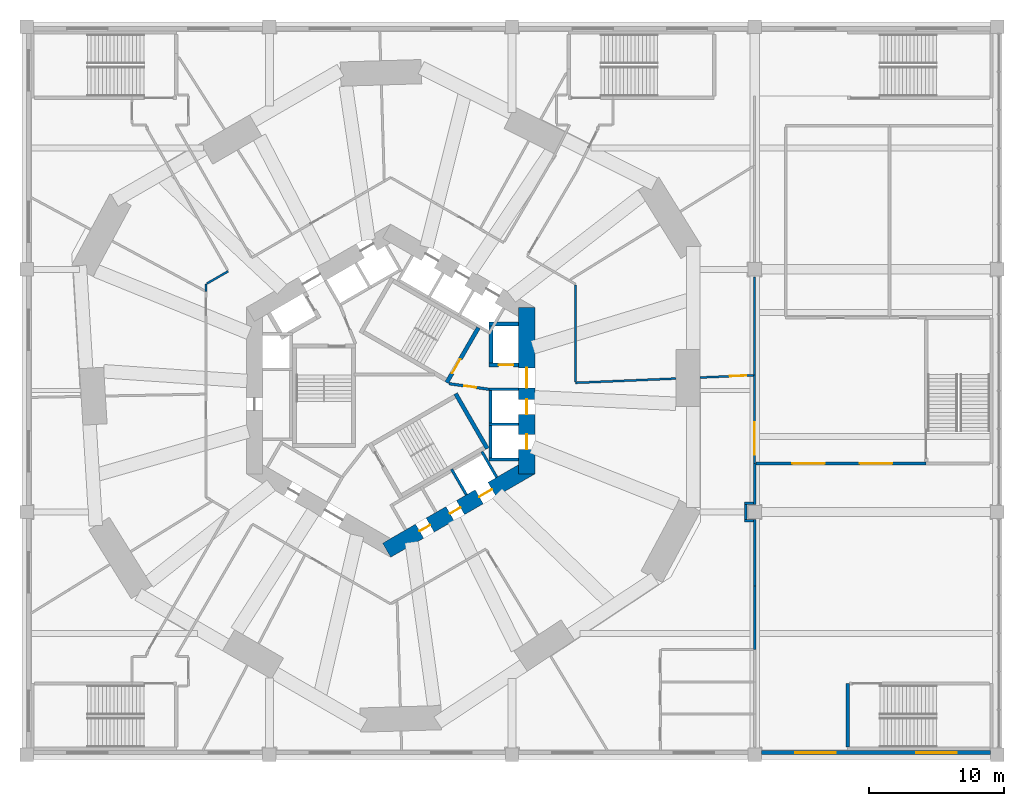
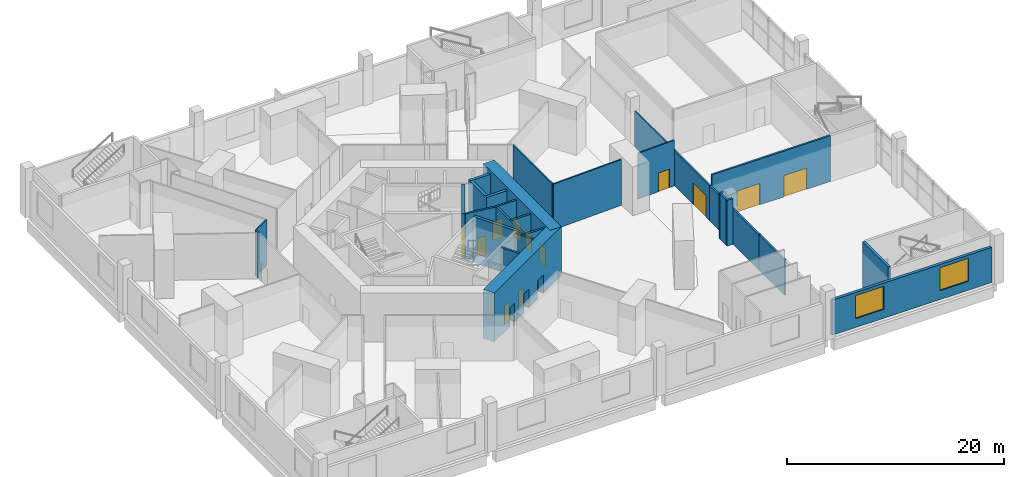
# One storey, part 7 of 16: 30 walls, 13 doors, 2 windows, 15 openings.
"""IFC4 building model written with IfcOpenShell, lengths in metres."""

from ifc_helpers import new_model, si_unit, direction, frame, frame_2d, origin, place, context, subcontext, project, spatial, rectangle, extrude, material, layer, layer_set, type_object, element, fill, save


model = new_model("IFC4")

# Units and contexts
model_context = context("Model", 3, precision=1e-05, world=origin(), true_north=direction((0.0, 1.0)))
body_context = subcontext(model_context, "Body", "Model", "MODEL_VIEW")
ifc_project = project(units=[si_unit("LENGTHUNIT", "METRE"), si_unit("AREAUNIT", "SQUARE_METRE"), si_unit("VOLUMEUNIT", "CUBIC_METRE"), si_unit("PLANEANGLEUNIT", "RADIAN"), si_unit("MASSUNIT", "GRAM", prefix="KILO")], contexts=[model_context])

# Site, building, storey
site_placement = place(None, origin())
site = spatial("IfcSite", under=ifc_project, at=site_placement, CompositionType="ELEMENT")
building_placement = place(site_placement, origin())
building = spatial("IfcBuilding", under=site, at=building_placement, Name="Vanh Sen Convention Tower", CompositionType="ELEMENT")
storey_placement = place(building_placement, frame((0.0, 0.0, 29.0)))
storey = spatial("IfcBuildingStorey", under=building, at=storey_placement, Name="L04", CompositionType="ELEMENT", Elevation=29.0)

# Wall
ifc_material_1 = material(Name="Concrete C40/50", Category="concrete")
ifc_layer_1 = layer(ifc_material_1, 0.25)
ifc_layer_set_1 = layer_set([ifc_layer_1], Name="Concrete C40/50")
wall_type_1 = type_object("IfcWallType", Name="Concrete wall 250 REI 180", PredefinedType="SOLIDWALL", material=ifc_layer_set_1)
wall_1_placement = place(storey_placement, frame((33.89990234375, -26.43994140625, 0.0), z_axis=(0.0, 0.0, 1.0), x_axis=(0.0, 1.0, 0.0)))
element("IfcWall", 1, at=wall_1_placement, inside=storey, type_object=wall_type_1, Name="Fire-resisting wall L04-003", PredefinedType="SOLIDWALL", context=body_context, shape_type="SweptSolid", body=[
    extrude(rectangle(XDim=4.71484375, YDim=0.25, at=frame_2d((2.357421875, 0.0))), origin(), (0.0, 0.0, 1.0), 5.14990234375),
])

# Wall, openings, doors
ifc_material_2 = material(Name="Concrete C80/95", Category="concrete")
ifc_layer_2 = layer(ifc_material_2, 1.199951171875)
ifc_layer_set_2 = layer_set([ifc_layer_2], Name="Concrete C80/95")
wall_type_2 = type_object("IfcWallType", Name="Core outer wall 1200 C80/95", PredefinedType="SHEAR", material=ifc_layer_set_2)
wall_2_placement = place(storey_placement, frame((10.10009765625, -6.177490234375, 0.0), z_axis=(0.0, 0.0, 1.0), x_axis=(0.0, 1.0, 0.0)))
wall_2 = element("IfcWall", 2, at=wall_2_placement, inside=storey, type_object=wall_type_2, Name="Core wall face E L04", PredefinedType="SHEAR", context=body_context, shape_type="SweptSolid", body=[
    extrude(rectangle(XDim=12.35498046875, YDim=1.199951171875, at=frame_2d((6.177490234375, 0.0))), origin(), (0.0, 0.0, 1.0), 5.5),
])
opening_1_placement = place(wall_2_placement, frame((6.377685546875, 0.0, 0.0)))
opening_1 = element("IfcOpeningElement", 3, at=opening_1_placement, cuts=wall_2, Name="Opening D04001", PredefinedType="OPENING", context=body_context, shape_type="SweptSolid", body=[
    extrude(rectangle(XDim=1.5, YDim=2.10009765625, at=frame_2d((0.75, 1.050048828125))), frame((0.0, 0.60986328125, 0.0), z_axis=(0.0, -1.0, 0.0), x_axis=(1.0, 0.0, 0.0)), (0.0, 0.0, 1.0), 1.219970703125),
])
opening_2_placement = place(wall_2_placement, frame((1.82763671875, 0.0, 0.0)))
opening_2 = element("IfcOpeningElement", 4, at=opening_2_placement, cuts=wall_2, Name="Opening LD-LR1", PredefinedType="OPENING", context=body_context, shape_type="SweptSolid", body=[
    extrude(rectangle(XDim=1.10009765625, YDim=2.10009765625, at=frame_2d((0.550048828125, 1.050048828125))), frame((0.0, 0.60986328125, 0.0), z_axis=(0.0, -1.0, 0.0), x_axis=(1.0, 0.0, 0.0)), (0.0, 0.0, 1.0), 1.219970703125),
])
opening_3_placement = place(wall_2_placement, frame((4.427490234375, 0.0, 0.0)))
opening_3 = element("IfcOpeningElement", 5, at=opening_3_placement, cuts=wall_2, Name="Opening LD-LR2", PredefinedType="OPENING", context=body_context, shape_type="SweptSolid", body=[
    extrude(rectangle(XDim=1.10009765625, YDim=2.10009765625, at=frame_2d((0.550048828125, 1.050048828125))), frame((0.0, 0.60986328125, 0.0), z_axis=(0.0, -1.0, 0.0), x_axis=(1.0, 0.0, 0.0)), (0.0, 0.0, 1.0), 1.219970703125),
])
ifc_material_3 = material(Name="Stainless steel", Category="steel")
door_type_1 = type_object("IfcDoorType", Name="Lift landing door 1100", OperationType="DOUBLE_DOOR_SLIDING", PredefinedType="DOOR", material=ifc_material_3)
door_1_placement = place(opening_2_placement, origin())
door_1 = element("IfcDoor", 6, at=door_1_placement, inside=storey, type_object=door_type_1, Name="Lift LR1 landing door LD-LR1", OperationType="DOUBLE_DOOR_SLIDING", OverallHeight=2.10009765625, OverallWidth=1.10009765625, PredefinedType="DOOR", context=body_context, shape_type="SweptSolid", body=[
    extrude(rectangle(XDim=1.10009765625, YDim=2.10009765625, at=frame_2d((0.550048828125, 1.050048828125))), frame((0.0, 0.02490234375, 0.0), z_axis=(0.0, -1.0, 0.0), x_axis=(1.0, 0.0, 0.0)), (0.0, 0.0, 1.0), 0.050048828125),
])
fill(opening_2, door_1)
door_2_placement = place(opening_3_placement, origin())
door_2 = element("IfcDoor", 7, at=door_2_placement, inside=storey, type_object=door_type_1, Name="Lift LR2 landing door LD-LR2", OperationType="DOUBLE_DOOR_SLIDING", OverallHeight=2.10009765625, OverallWidth=1.10009765625, PredefinedType="DOOR", context=body_context, shape_type="SweptSolid", body=[
    extrude(rectangle(XDim=1.10009765625, YDim=2.10009765625, at=frame_2d((0.550048828125, 1.050048828125))), frame((0.0, 0.02490234375, 0.0), z_axis=(0.0, -1.0, 0.0), x_axis=(1.0, 0.0, 0.0)), (0.0, 0.0, 1.0), 0.050048828125),
])
fill(opening_3, door_2)
ifc_material_4 = material(Name="Steel S355", Category="steel")
door_type_2 = type_object("IfcDoorType", Name="Stair lobby door 1500", OperationType="DOUBLE_DOOR_SINGLE_SWING", PredefinedType="DOOR", material=ifc_material_4)
door_3_placement = place(opening_1_placement, origin())
door_3 = element("IfcDoor", 8, at=door_3_placement, inside=storey, type_object=door_type_2, Name="Stair lobby door D04001", OperationType="DOUBLE_DOOR_SINGLE_SWING", OverallHeight=2.10009765625, OverallWidth=1.5, PredefinedType="DOOR", context=body_context, shape_type="SweptSolid", body=[
    extrude(rectangle(XDim=1.5, YDim=2.10009765625, at=frame_2d((0.75, 1.050048828125))), frame((0.0, 0.02490234375, 0.0), z_axis=(0.0, -1.0, 0.0), x_axis=(1.0, 0.0, 0.0)), (0.0, 0.0, 1.0), 0.050048828125),
])
fill(opening_1, door_3)

wall_3_placement = place(storey_placement, frame((-0.300048828125, -11.835693359375, 0.0), z_axis=(0.0, 0.0, 1.0), x_axis=(0.866021384402, 0.500006961711, 0.0)))
wall_3 = element("IfcWall", 9, at=wall_3_placement, inside=storey, type_object=wall_type_2, Name="Core wall face SE L04", PredefinedType="SHEAR", context=body_context, shape_type="SweptSolid", body=[
    extrude(rectangle(XDim=12.355224609375, YDim=1.199951171875, at=frame_2d((6.177734375, 0.0))), origin(), (0.0, 0.0, 1.0), 5.5),
])
opening_4_placement = place(wall_3_placement, frame((2.82763671875, 0.0, 0.0)))
opening_4 = element("IfcOpeningElement", 10, at=opening_4_placement, cuts=wall_3, Name="Opening D04011", PredefinedType="OPENING", context=body_context, shape_type="SweptSolid", body=[
    extrude(rectangle(XDim=0.89990234375, YDim=2.10009765625, at=frame_2d((0.449951171875, 1.050048828125))), frame((0.0, 0.60986328125, 0.0), z_axis=(0.0, -1.0, 0.0), x_axis=(1.0, 0.0, 0.0)), (0.0, 0.0, 1.0), 1.219970703125),
])
opening_5_placement = place(wall_3_placement, frame((5.427734375, 0.0, 0.0)))
opening_5 = element("IfcOpeningElement", 11, at=opening_5_placement, cuts=wall_3, Name="Opening D04012", PredefinedType="OPENING", context=body_context, shape_type="SweptSolid", body=[
    extrude(rectangle(XDim=0.89990234375, YDim=2.10009765625, at=frame_2d((0.449951171875, 1.050048828125))), frame((0.0, 0.60986328125, 0.0), z_axis=(0.0, -1.0, 0.0), x_axis=(1.0, 0.0, 0.0)), (0.0, 0.0, 1.0), 1.219970703125),
])
opening_6_placement = place(wall_3_placement, frame((7.927734375, 0.0, 0.0)))
opening_6 = element("IfcOpeningElement", 12, at=opening_6_placement, cuts=wall_3, Name="Opening LD-SV1", PredefinedType="OPENING", context=body_context, shape_type="SweptSolid", body=[
    extrude(rectangle(XDim=1.10009765625, YDim=2.10009765625, at=frame_2d((0.550048828125, 1.050048828125))), frame((0.0, 0.60986328125, 0.0), z_axis=(0.0, -1.0, 0.0), x_axis=(1.0, 0.0, 0.0)), (0.0, 0.0, 1.0), 1.219970703125),
])
door_4_placement = place(opening_6_placement, origin())
door_4 = element("IfcDoor", 13, at=door_4_placement, inside=storey, type_object=door_type_1, Name="Lift SV1 landing door LD-SV1", OperationType="DOUBLE_DOOR_SLIDING", OverallHeight=2.10009765625, OverallWidth=1.10009765625, PredefinedType="DOOR", context=body_context, shape_type="SweptSolid", body=[
    extrude(rectangle(XDim=1.10009765625, YDim=2.10009765625, at=frame_2d((0.550048828125, 1.050048828125))), frame((0.0, 0.02490234375, 0.0), z_axis=(0.0, -1.0, 0.0), x_axis=(1.0, 0.0, 0.0)), (0.0, 0.0, 1.0), 0.050048828125),
])
fill(opening_6, door_4)
door_type_3 = type_object("IfcDoorType", Name="Plant door 900", OperationType="SINGLE_SWING_LEFT", PredefinedType="DOOR", material=ifc_material_4)
door_5_placement = place(opening_4_placement, origin())
door_5 = element("IfcDoor", 14, at=door_5_placement, inside=storey, type_object=door_type_3, Name="Plant door D04011", OperationType="SINGLE_SWING_LEFT", OverallHeight=2.10009765625, OverallWidth=0.89990234375, PredefinedType="DOOR", context=body_context, shape_type="SweptSolid", body=[
    extrude(rectangle(XDim=0.89990234375, YDim=2.10009765625, at=frame_2d((0.449951171875, 1.050048828125))), frame((0.0, 0.02490234375, 0.0), z_axis=(0.0, -1.0, 0.0), x_axis=(1.0, 0.0, 0.0)), (0.0, 0.0, 1.0), 0.050048828125),
])
fill(opening_4, door_5)
door_6_placement = place(opening_5_placement, origin())
door_6 = element("IfcDoor", 15, at=door_6_placement, inside=storey, type_object=door_type_3, Name="Plant door D04012", OperationType="SINGLE_SWING_LEFT", OverallHeight=2.10009765625, OverallWidth=0.89990234375, PredefinedType="DOOR", context=body_context, shape_type="SweptSolid", body=[
    extrude(rectangle(XDim=0.89990234375, YDim=2.10009765625, at=frame_2d((0.449951171875, 1.050048828125))), frame((0.0, 0.02490234375, 0.0), z_axis=(0.0, -1.0, 0.0), x_axis=(1.0, 0.0, 0.0)), (0.0, 0.0, 1.0), 0.050048828125),
])
fill(opening_5, door_6)

# Wall, opening, door
ifc_material_5 = material(Name="Concrete C60/75", Category="concrete")
ifc_layer_3 = layer(ifc_material_5, 0.300048828125)
ifc_layer_set_3 = layer_set([ifc_layer_3], Name="Concrete C60/75")
wall_type_3 = type_object("IfcWallType", Name="Fire-fighting lift shaft wall 300", PredefinedType="SHEAR", material=ifc_layer_set_3)
wall_4_placement = place(storey_placement, frame((7.300048828125, 1.89990234375, 0.0), z_axis=(0.0, 0.0, 1.0), x_axis=(1.0, 0.0, 0.0)))
wall_4 = element("IfcWall", 16, at=wall_4_placement, inside=storey, type_object=wall_type_3, Name="Fire-fighting lift shaft wall L04", PredefinedType="SHEAR", context=body_context, shape_type="SweptSolid", body=[
    extrude(rectangle(XDim=2.199951171875, YDim=0.300048828125, at=frame_2d((1.10009765625, 0.0))), origin(), (0.0, 0.0, 1.0), 5.14990234375),
])
opening_7_placement = place(wall_4_placement, frame((0.699951171875, 0.0, 0.0)))
opening_7 = element("IfcOpeningElement", 17, at=opening_7_placement, cuts=wall_4, Name="Opening LD-FF1", PredefinedType="OPENING", context=body_context, shape_type="SweptSolid", body=[
    extrude(rectangle(XDim=1.10009765625, YDim=2.10009765625, at=frame_2d((0.550048828125, 1.050048828125))), frame((0.0, 0.159912109375, 0.0), z_axis=(0.0, -1.0, 0.0), x_axis=(1.0, 0.0, 0.0)), (0.0, 0.0, 1.0), 0.320068359375),
])
door_type_4 = type_object("IfcDoorType", Name="Fire-fighting lift landing door 1100", OperationType="DOUBLE_DOOR_SLIDING", PredefinedType="DOOR", material=ifc_material_3)
door_7_placement = place(opening_7_placement, origin())
door_7 = element("IfcDoor", 18, at=door_7_placement, inside=storey, type_object=door_type_4, Name="Lift FF1 landing door LD-FF1", OperationType="DOUBLE_DOOR_SLIDING", OverallHeight=2.10009765625, OverallWidth=1.10009765625, PredefinedType="DOOR", context=body_context, shape_type="SweptSolid", body=[
    extrude(rectangle(XDim=1.10009765625, YDim=2.10009765625, at=frame_2d((0.550048828125, 1.050048828125))), frame((0.0, 0.02490234375, 0.0), z_axis=(0.0, -1.0, 0.0), x_axis=(1.0, 0.0, 0.0)), (0.0, 0.0, 1.0), 0.050048828125),
])
fill(opening_7, door_7)

# Walls
wall_5_placement = place(storey_placement, frame((7.449951171875, 1.75, 0.0), z_axis=(0.0, 0.0, 1.0), x_axis=(0.0, 1.0, 0.0)))
element("IfcWall", 19, at=wall_5_placement, inside=storey, type_object=wall_type_3, Name="Fire-fighting lift shaft wall L04", PredefinedType="SHEAR", context=body_context, shape_type="SweptSolid", body=[
    extrude(rectangle(XDim=3.35009765625, YDim=0.300048828125, at=frame_2d((1.675048828125, 0.0))), origin(), (0.0, 0.0, 1.0), 5.14990234375),
])
wall_6_placement = place(storey_placement, frame((7.300048828125, 4.949951171875, 0.0), z_axis=(0.0, 0.0, 1.0), x_axis=(1.0, 0.0, 0.0)))
element("IfcWall", 20, at=wall_6_placement, inside=storey, type_object=wall_type_3, Name="Fire-fighting lift shaft wall L04", PredefinedType="SHEAR", context=body_context, shape_type="SweptSolid", body=[
    extrude(rectangle(XDim=2.199951171875, YDim=0.300048828125, at=frame_2d((1.10009765625, 0.0))), origin(), (0.0, 0.0, 1.0), 5.14990234375),
])
ifc_layer_4 = layer(ifc_material_1, 0.199951171875)
ifc_layer_set_4 = layer_set([ifc_layer_4], Name="Concrete C40/50")
wall_type_4 = type_object("IfcWallType", Name="Lift shaft wall 200", PredefinedType="PARTITIONING", material=ifc_layer_set_4)
wall_7_placement = place(storey_placement, frame((7.39990234375, -5.199951171875, 0.0), z_axis=(0.0, 0.0, 1.0), x_axis=(0.0, 1.0, 0.0)))
element("IfcWall", 21, at=wall_7_placement, inside=storey, type_object=wall_type_4, Name="Lift shaft wall L04", PredefinedType="PARTITIONING", context=body_context, shape_type="SweptSolid", body=[
    extrude(rectangle(XDim=5.39990234375, YDim=0.199951171875, at=frame_2d((2.699951171875, 0.0))), origin(), (0.0, 0.0, 1.0), 5.14990234375),
])
for number, where, z_axis, x_axis, name in (
    (22, (7.300048828125, -5.10009765625, 0.0), (0.0, 0.0, 1.0), (1.0, 0.0, 0.0), "Lift shaft wall L04"),
    (23, (7.300048828125, -2.5, 0.0), (0.0, 0.0, 1.0), (1.0, 0.0, 0.0), "Lift shaft wall L04"),
    (24, (7.300048828125, 0.10009765625, 0.0), (0.0, 0.0, 1.0), (1.0, 0.0, 0.0), "Lift shaft wall L04"),
    (25, (4.51611328125, -5.822021484375, 0.0), (0.0, 0.0, 1.0), (0.499946605688, -0.86605622881, 0.0), "Lift shaft wall L04"),
    (26, (6.767578125, -4.52197265625, 0.0), (0.0, 0.0, 1.0), (0.50002983664, -0.866008176907, 0.0), "Lift shaft wall L04"),
):
    element("IfcWall", number, at=place(storey_placement, frame(where, z_axis=z_axis, x_axis=x_axis)), inside=storey, type_object=wall_type_4, Name=name, PredefinedType="PARTITIONING", context=body_context, shape_type="SweptSolid", body=[
        extrude(rectangle(XDim=2.199951171875, YDim=0.199951171875, at=frame_2d((1.10009765625, 0.0))), origin(), (0.0, 0.0, 1.0), 5.14990234375),
    ])

# Wall, opening, door
ifc_material_6 = material(Name="Gypsum board on steel studs", Category="steel")
ifc_layer_5 = layer(ifc_material_6, 0.14990234375)
ifc_layer_set_5 = layer_set([ifc_layer_5], Name="Gypsum board on steel studs")
wall_type_5 = type_object("IfcWallType", Name="Partition 150", PredefinedType="PARTITIONING", material=ifc_layer_set_5)
wall_8_placement = place(storey_placement, frame((27.0, -5.39990234375, 0.0), z_axis=(0.0, 0.0, 1.0), x_axis=(0.0, 1.0, 0.0)))
wall_8 = element("IfcWall", 27, at=wall_8_placement, inside=storey, type_object=wall_type_5, Name="Partition L04-046", PredefinedType="PARTITIONING", context=body_context, shape_type="SweptSolid", body=[
    extrude(rectangle(XDim=6.54736328125, YDim=0.14990234375, at=frame_2d((3.273681640625, 0.0))), origin(), (0.0, 0.0, 1.0), 3.949951171875),
])
opening_8_placement = place(wall_8_placement, frame((0.64990234375, 0.0, 0.0)))
opening_8 = element("IfcOpeningElement", 28, at=opening_8_placement, cuts=wall_8, Name="Opening D04111", PredefinedType="OPENING", context=body_context, shape_type="SweptSolid", body=[
    extrude(rectangle(XDim=2.39990234375, YDim=2.39990234375, at=frame_2d((1.199951171875, 1.199951171875))), frame((0.0, 0.0849609375, 0.0), z_axis=(0.0, -1.0, 0.0), x_axis=(1.0, 0.0, 0.0)), (0.0, 0.0, 1.0), 0.169921875),
])
ifc_material_7 = material(Name="Timber door in steel frame", Category="steel")
door_type_5 = type_object("IfcDoorType", Name="Double door 2400", OperationType="DOUBLE_DOOR_SINGLE_SWING", PredefinedType="DOOR", material=ifc_material_7)
door_8_placement = place(opening_8_placement, origin())
door_8 = element("IfcDoor", 29, at=door_8_placement, inside=storey, type_object=door_type_5, Name="Double door D04111", OperationType="DOUBLE_DOOR_SINGLE_SWING", OverallHeight=2.39990234375, OverallWidth=2.39990234375, PredefinedType="DOOR", context=body_context, shape_type="SweptSolid", body=[
    extrude(rectangle(XDim=2.39990234375, YDim=2.39990234375, at=frame_2d((1.199951171875, 1.199951171875))), frame((0.0, 0.02490234375, 0.0), z_axis=(0.0, -1.0, 0.0), x_axis=(1.0, 0.0, 0.0)), (0.0, 0.0, 1.0), 0.050048828125),
])
fill(opening_8, door_8)

# Wall
ifc_layer_6 = layer(ifc_material_6, 0.14990234375)
ifc_layer_set_6 = layer_set([ifc_layer_6], Name="Gypsum board on steel studs")
wall_type_6 = type_object("IfcWallType", Name="Partition 150 EI 60", PredefinedType="PARTITIONING", material=ifc_layer_set_6)
wall_9_placement = place(storey_placement, frame((21.14990234375, 0.899169921875, 0.0), z_axis=(0.0, 0.0, 1.0), x_axis=(-0.999097940345, -0.04246534585, 0.0)))
element("IfcWall", 30, at=wall_9_placement, inside=storey, type_object=wall_type_6, Name="Partition L04-053", PredefinedType="PARTITIONING", context=body_context, shape_type="SweptSolid", body=[
    extrude(rectangle(XDim=7.456787109375, YDim=0.14990234375, at=frame_2d((3.728515625, 0.0))), origin(), (0.0, 0.0, 1.0), 5.14990234375),
])

# Wall, opening, door
wall_10_placement = place(storey_placement, frame((22.949951171875, 0.9755859375, 0.0), z_axis=(0.0, 0.0, 1.0), x_axis=(0.99910105245, 0.042392062858, 0.0)))
wall_10 = element("IfcWall", 31, at=wall_10_placement, inside=storey, type_object=wall_type_6, Name="Partition L04-054", PredefinedType="PARTITIONING", context=body_context, shape_type="SweptSolid", body=[
    extrude(rectangle(XDim=3.973876953125, YDim=0.14990234375, at=frame_2d((1.98681640625, 0.0))), origin(), (0.0, 0.0, 1.0), 5.14990234375),
])
opening_9_placement = place(wall_10_placement, frame((2.2236328125, 0.0, 0.0)))
opening_9 = element("IfcOpeningElement", 32, at=opening_9_placement, cuts=wall_10, Name="Opening D04116", PredefinedType="OPENING", context=body_context, shape_type="SweptSolid", body=[
    extrude(rectangle(XDim=1.199951171875, YDim=2.10009765625, at=frame_2d((0.60009765625, 1.050048828125))), frame((0.0, 0.0849609375, 0.0), z_axis=(0.0, -1.0, 0.0), x_axis=(1.0, 0.0, 0.0)), (0.0, 0.0, 1.0), 0.169921875),
])
door_type_6 = type_object("IfcDoorType", Name="Room door 1200 EI 30", OperationType="SINGLE_SWING_LEFT", PredefinedType="DOOR", material=ifc_material_7)
door_9_placement = place(opening_9_placement, origin())
door_9 = element("IfcDoor", 33, at=door_9_placement, inside=storey, type_object=door_type_6, Name="Room door D04116", OperationType="SINGLE_SWING_LEFT", OverallHeight=2.10009765625, OverallWidth=1.199951171875, PredefinedType="DOOR", context=body_context, shape_type="SweptSolid", body=[
    extrude(rectangle(XDim=1.199951171875, YDim=2.10009765625, at=frame_2d((0.60009765625, 1.050048828125))), frame((0.0, 0.02490234375, 0.0), z_axis=(0.0, -1.0, 0.0), x_axis=(1.0, 0.0, 0.0)), (0.0, 0.0, 1.0), 0.050048828125),
])
fill(opening_9, door_9)

# Walls
wall_11_placement = place(storey_placement, frame((27.0, 1.1474609375, 0.0), z_axis=(0.0, 0.0, 1.0), x_axis=(0.0, 1.0, 0.0)))
element("IfcWall", 34, at=wall_11_placement, inside=storey, type_object=wall_type_6, Name="Partition L04-055", PredefinedType="PARTITIONING", context=body_context, shape_type="SweptSolid", body=[
    extrude(rectangle(XDim=7.302490234375, YDim=0.14990234375, at=frame_2d((3.6513671875, 0.0))), origin(), (0.0, 0.0, 1.0), 3.949951171875),
])
wall_12_placement = place(storey_placement, frame((-13.699951171875, 7.361572265625, 0.0), z_axis=(0.0, 0.0, 1.0), x_axis=(0.0, 1.0, 0.0)))
element("IfcWall", 35, at=wall_12_placement, inside=storey, type_object=wall_type_6, Name="Partition L04-059", PredefinedType="PARTITIONING", context=body_context, shape_type="SweptSolid", body=[
    extrude(rectangle(XDim=0.5478515625, YDim=0.14990234375, at=frame_2d((0.27392578125, 0.0))), origin(), (0.0, 0.0, 1.0), 5.14990234375),
])
wall_13_placement = place(storey_placement, frame((13.699951171875, 7.849609375, 0.0), z_axis=(0.0, 0.0, 1.0), x_axis=(0.0, -1.0, 0.0)))
element("IfcWall", 36, at=wall_13_placement, inside=storey, type_object=wall_type_6, Name="Partition L04-061", PredefinedType="PARTITIONING", context=body_context, shape_type="SweptSolid", body=[
    extrude(rectangle(XDim=7.18701171875, YDim=0.14990234375, at=frame_2d((3.593505859375, 0.0))), origin(), (0.0, 0.0, 1.0), 5.14990234375),
])
wall_14_placement = place(storey_placement, frame((-13.64794921875, 7.939453125, 0.0), z_axis=(0.0, 0.0, 1.0), x_axis=(0.866024486176, 0.500001589341, 0.0)))
element("IfcWall", 37, at=wall_14_placement, inside=storey, type_object=wall_type_6, Name="Partition L04-063", PredefinedType="PARTITIONING", context=body_context, shape_type="SweptSolid", body=[
    extrude(rectangle(XDim=1.84228515625, YDim=0.14990234375, at=frame_2d((0.921142578125, 0.0))), origin(), (0.0, 0.0, 1.0), 5.14990234375),
])
ifc_material_8 = material(Name="Concrete C20/25", Category="concrete")
ifc_layer_7 = layer(ifc_material_8, 0.199951171875)
ifc_layer_set_7 = layer_set([ifc_layer_7], Name="Concrete C20/25")
wall_type_7 = type_object("IfcWallType", Name="Partition 200 EI 120", PredefinedType="PARTITIONING", material=ifc_layer_set_7)
wall_15_placement = place(storey_placement, frame((27.0, -19.199951171875, 0.0), z_axis=(0.0, 0.0, 1.0), x_axis=(0.0, 1.0, 0.0)))
element("IfcWall", 38, at=wall_15_placement, inside=storey, type_object=wall_type_7, Name="Partition L04-026", PredefinedType="PARTITIONING", context=body_context, shape_type="SweptSolid", body=[
    extrude(rectangle(XDim=4.6923828125, YDim=0.199951171875, at=frame_2d((2.34619140625, 0.0))), origin(), (0.0, 0.0, 1.0), 3.949951171875),
])
wall_16_placement = place(storey_placement, frame((27.0, -14.507568359375, 0.0), z_axis=(0.0, 0.0, 1.0), x_axis=(0.0, 1.0, 0.0)))
element("IfcWall", 39, at=wall_16_placement, inside=storey, type_object=wall_type_7, Name="Partition L04-035", PredefinedType="PARTITIONING", context=body_context, shape_type="SweptSolid", body=[
    extrude(rectangle(XDim=4.95751953125, YDim=0.199951171875, at=frame_2d((2.478759765625, 0.0))), origin(), (0.0, 0.0, 1.0), 3.949951171875),
])
wall_17_placement = place(storey_placement, frame((26.89990234375, -9.64990234375, 0.0), z_axis=(0.0, 0.0, 1.0), x_axis=(-1.0, 0.0, 0.0)))
element("IfcWall", 40, at=wall_17_placement, inside=storey, type_object=wall_type_7, Name="Partition L04-039", PredefinedType="PARTITIONING", context=body_context, shape_type="SweptSolid", body=[
    extrude(rectangle(XDim=0.65185546875, YDim=0.199951171875, at=frame_2d((0.325927734375, 0.0))), origin(), (0.0, 0.0, 1.0), 5.14990234375),
])
wall_18_placement = place(storey_placement, frame((26.347900390625, -9.550048828125, 0.0), z_axis=(0.0, 0.0, 1.0), x_axis=(0.0, 1.0, 0.0)))
element("IfcWall", 41, at=wall_18_placement, inside=storey, type_object=wall_type_7, Name="Partition L04-040", PredefinedType="PARTITIONING", context=body_context, shape_type="SweptSolid", body=[
    extrude(rectangle(XDim=1.10009765625, YDim=0.199951171875, at=frame_2d((0.550048828125, 0.0))), origin(), (0.0, 0.0, 1.0), 5.14990234375),
])
wall_19_placement = place(storey_placement, frame((27.0, -8.449951171875, 0.0), z_axis=(0.0, 0.0, 1.0), x_axis=(0.0, 1.0, 0.0)))
element("IfcWall", 42, at=wall_19_placement, inside=storey, type_object=wall_type_7, Name="Partition L04-042", PredefinedType="PARTITIONING", context=body_context, shape_type="SweptSolid", body=[
    extrude(rectangle(XDim=3.050048828125, YDim=0.199951171875, at=frame_2d((1.52490234375, 0.0))), origin(), (0.0, 0.0, 1.0), 3.949951171875),
])
wall_20_placement = place(storey_placement, frame((26.89990234375, -8.35009765625, 0.0), z_axis=(0.0, 0.0, 1.0), x_axis=(-1.0, 0.0, 0.0)))
element("IfcWall", 43, at=wall_20_placement, inside=storey, type_object=wall_type_7, Name="Partition L04-043", PredefinedType="PARTITIONING", context=body_context, shape_type="SweptSolid", body=[
    extrude(rectangle(XDim=0.65185546875, YDim=0.199951171875, at=frame_2d((0.325927734375, 0.0))), origin(), (0.0, 0.0, 1.0), 5.14990234375),
])

# Wall, openings, doors
wall_21_placement = place(storey_placement, frame((27.10009765625, -5.39990234375, 0.0), z_axis=(0.0, 0.0, 1.0), x_axis=(1.0, 0.0, 0.0)))
wall_21 = element("IfcWall", 44, at=wall_21_placement, inside=storey, type_object=wall_type_7, Name="Partition L04-047", PredefinedType="PARTITIONING", context=body_context, shape_type="SweptSolid", body=[
    extrude(rectangle(XDim=12.625, YDim=0.199951171875, at=frame_2d((6.3125, 0.0))), origin(), (0.0, 0.0, 1.0), 5.14990234375),
])
opening_10_placement = place(wall_21_placement, frame((2.699951171875, 0.0, 0.0)))
opening_10 = element("IfcOpeningElement", 45, at=opening_10_placement, cuts=wall_21, Name="Opening D04112", PredefinedType="OPENING", context=body_context, shape_type="SweptSolid", body=[
    extrude(rectangle(XDim=2.39990234375, YDim=2.39990234375, at=frame_2d((1.199951171875, 1.199951171875))), frame((0.0, 0.10986328125, 0.0), z_axis=(0.0, -1.0, 0.0), x_axis=(1.0, 0.0, 0.0)), (0.0, 0.0, 1.0), 0.219970703125),
])
opening_11_placement = place(wall_21_placement, frame((7.699951171875, 0.0, 0.0)))
opening_11 = element("IfcOpeningElement", 46, at=opening_11_placement, cuts=wall_21, Name="Opening D04113", PredefinedType="OPENING", context=body_context, shape_type="SweptSolid", body=[
    extrude(rectangle(XDim=2.39990234375, YDim=2.39990234375, at=frame_2d((1.199951171875, 1.199951171875))), frame((0.0, 0.10986328125, 0.0), z_axis=(0.0, -1.0, 0.0), x_axis=(1.0, 0.0, 0.0)), (0.0, 0.0, 1.0), 0.219970703125),
])
door_type_7 = type_object("IfcDoorType", Name="Double door 2400 EI 60", OperationType="DOUBLE_DOOR_SINGLE_SWING", PredefinedType="DOOR", material=ifc_material_7)
door_10_placement = place(opening_10_placement, origin())
door_10 = element("IfcDoor", 47, at=door_10_placement, inside=storey, type_object=door_type_7, Name="Double door D04112", OperationType="DOUBLE_DOOR_SINGLE_SWING", OverallHeight=2.39990234375, OverallWidth=2.39990234375, PredefinedType="DOOR", context=body_context, shape_type="SweptSolid", body=[
    extrude(rectangle(XDim=2.39990234375, YDim=2.39990234375, at=frame_2d((1.199951171875, 1.199951171875))), frame((0.0, 0.02490234375, 0.0), z_axis=(0.0, -1.0, 0.0), x_axis=(1.0, 0.0, 0.0)), (0.0, 0.0, 1.0), 0.050048828125),
])
fill(opening_10, door_10)
door_11_placement = place(opening_11_placement, origin())
door_11 = element("IfcDoor", 48, at=door_11_placement, inside=storey, type_object=door_type_7, Name="Double door D04113", OperationType="DOUBLE_DOOR_SINGLE_SWING", OverallHeight=2.39990234375, OverallWidth=2.39990234375, PredefinedType="DOOR", context=body_context, shape_type="SweptSolid", body=[
    extrude(rectangle(XDim=2.39990234375, YDim=2.39990234375, at=frame_2d((1.199951171875, 1.199951171875))), frame((0.0, 0.02490234375, 0.0), z_axis=(0.0, -1.0, 0.0), x_axis=(1.0, 0.0, 0.0)), (0.0, 0.0, 1.0), 0.050048828125),
])
fill(opening_11, door_11)

# Wall, openings, windows
ifc_material_9 = material(Name="Concrete C50/60", Category="concrete")
ifc_layer_8 = layer(ifc_material_9, 0.300048828125)
ifc_layer_set_8 = layer_set([ifc_layer_8], Name="Concrete C50/60")
wall_type_8 = type_object("IfcWallType", Name="Podium wall 300", PredefinedType="STANDARD", material=ifc_layer_set_8)
wall_22_placement = place(storey_placement, frame((27.5, -26.85009765625, 0.0), z_axis=(0.0, 0.0, 1.0), x_axis=(1.0, 0.0, 0.0)))
wall_22 = element("IfcWall", 49, at=wall_22_placement, inside=storey, type_object=wall_type_8, Name="Podium wall S4 L04", PredefinedType="STANDARD", context=body_context, shape_type="SweptSolid", body=[
    extrude(rectangle(XDim=17.0, YDim=0.300048828125, at=frame_2d((8.5, 0.0))), origin(), (0.0, 0.0, 1.0), 3.949951171875),
])
opening_12_placement = place(wall_22_placement, frame((2.5, 0.0, 1.0)))
opening_12 = element("IfcOpeningElement", 50, at=opening_12_placement, cuts=wall_22, Name="Opening WP2-S7", PredefinedType="OPENING", context=body_context, shape_type="SweptSolid", body=[
    extrude(rectangle(XDim=3.0, YDim=2.60009765625, at=frame_2d((1.5, 1.300048828125))), frame((0.0, 0.159912109375, 0.0), z_axis=(0.0, -1.0, 0.0), x_axis=(1.0, 0.0, 0.0)), (0.0, 0.0, 1.0), 0.320068359375),
])
opening_13_placement = place(wall_22_placement, frame((11.5, 0.0, 1.0)))
opening_13 = element("IfcOpeningElement", 51, at=opening_13_placement, cuts=wall_22, Name="Opening WP2-S8", PredefinedType="OPENING", context=body_context, shape_type="SweptSolid", body=[
    extrude(rectangle(XDim=3.0, YDim=2.60009765625, at=frame_2d((1.5, 1.300048828125))), frame((0.0, 0.159912109375, 0.0), z_axis=(0.0, -1.0, 0.0), x_axis=(1.0, 0.0, 0.0)), (0.0, 0.0, 1.0), 0.320068359375),
])
ifc_material_10 = material(Name="Aluminium frame with clear low-emissivity glass", Category="aluminium")
window_type = type_object("IfcWindowType", Name="Podium window 3000 x 2600", PartitioningType="SINGLE_PANEL", PredefinedType="WINDOW", material=ifc_material_10)
window_1_placement = place(opening_12_placement, origin())
window_1 = element("IfcWindow", 52, at=window_1_placement, inside=storey, type_object=window_type, Name="Window WP2-S7", OverallHeight=2.60009765625, OverallWidth=3.0, PartitioningType="SINGLE_PANEL", PredefinedType="WINDOW", context=body_context, shape_type="SweptSolid", body=[
    extrude(rectangle(XDim=3.0, YDim=2.60009765625, at=frame_2d((1.5, 1.300048828125))), frame((0.0, 0.030029296875, 0.0), z_axis=(0.0, -1.0, 0.0), x_axis=(1.0, 0.0, 0.0)), (0.0, 0.0, 1.0), 0.06005859375),
])
fill(opening_12, window_1)
window_2_placement = place(opening_13_placement, origin())
window_2 = element("IfcWindow", 53, at=window_2_placement, inside=storey, type_object=window_type, Name="Window WP2-S8", OverallHeight=2.60009765625, OverallWidth=3.0, PartitioningType="SINGLE_PANEL", PredefinedType="WINDOW", context=body_context, shape_type="SweptSolid", body=[
    extrude(rectangle(XDim=3.0, YDim=2.60009765625, at=frame_2d((1.5, 1.300048828125))), frame((0.0, 0.030029296875, 0.0), z_axis=(0.0, -1.0, 0.0), x_axis=(1.0, 0.0, 0.0)), (0.0, 0.0, 1.0), 0.06005859375),
])
fill(opening_13, window_2)

# Wall, opening, door
ifc_layer_9 = layer(ifc_material_1, 0.199951171875)
ifc_layer_set_9 = layer_set([ifc_layer_9], Name="Concrete C40/50")
wall_type_9 = type_object("IfcWallType", Name="Stair lobby wall 200", PredefinedType="PARTITIONING", material=ifc_layer_set_9)
wall_23_placement = place(storey_placement, frame((4.327392578125, 0.52099609375, 0.0), z_axis=(0.0, 0.0, 1.0), x_axis=(0.990124376366, -0.14019172346, 0.0)))
wall_23 = element("IfcWall", 54, at=wall_23_placement, inside=storey, type_object=wall_type_9, Name="Stair lobby wall L04", PredefinedType="PARTITIONING", context=body_context, shape_type="SweptSolid", body=[
    extrude(rectangle(XDim=3.002197265625, YDim=0.199951171875, at=frame_2d((1.5009765625, 0.0))), origin(), (0.0, 0.0, 1.0), 5.14990234375),
])
opening_14_placement = place(wall_23_placement, frame((1.14990234375, 0.0, 0.0)))
opening_14 = element("IfcOpeningElement", 55, at=opening_14_placement, cuts=wall_23, Name="Opening D04007", PredefinedType="OPENING", context=body_context, shape_type="SweptSolid", body=[
    extrude(rectangle(XDim=0.89990234375, YDim=2.10009765625, at=frame_2d((0.449951171875, 1.050048828125))), frame((0.0, 0.10986328125, 0.0), z_axis=(0.0, -1.0, 0.0), x_axis=(1.0, 0.0, 0.0)), (0.0, 0.0, 1.0), 0.219970703125),
])
door_12_placement = place(opening_14_placement, origin())
door_12 = element("IfcDoor", 56, at=door_12_placement, inside=storey, type_object=door_type_3, Name="Plant door D04007", OperationType="SINGLE_SWING_LEFT", OverallHeight=2.10009765625, OverallWidth=0.89990234375, PredefinedType="DOOR", context=body_context, shape_type="SweptSolid", body=[
    extrude(rectangle(XDim=0.89990234375, YDim=2.10009765625, at=frame_2d((0.449951171875, 1.050048828125))), frame((0.0, 0.02490234375, 0.0), z_axis=(0.0, -1.0, 0.0), x_axis=(1.0, 0.0, 0.0)), (0.0, 0.0, 1.0), 0.050048828125),
])
fill(opening_14, door_12)

ifc_layer_10 = layer(ifc_material_5, 0.300048828125)
ifc_layer_set_10 = layer_set([ifc_layer_10], Name="Concrete C60/75")
wall_type_10 = type_object("IfcWallType", Name="Stair wall 300", PredefinedType="SHEAR", material=ifc_layer_set_10)
wall_24_placement = place(storey_placement, frame((4.157958984375, 0.601806640625, 0.0), z_axis=(0.0, 0.0, 1.0), x_axis=(0.499977259774, 0.866038532462, 0.0)))
wall_24 = element("IfcWall", 57, at=wall_24_placement, inside=storey, type_object=wall_type_10, Name="Stair wall L04", PredefinedType="SHEAR", context=body_context, shape_type="SweptSolid", body=[
    extrude(rectangle(XDim=4.699951171875, YDim=0.300048828125, at=frame_2d((2.35009765625, 0.0))), origin(), (0.0, 0.0, 1.0), 5.14990234375),
])
opening_15_placement = place(wall_24_placement, frame((0.800048828125, 0.0, 0.0)))
opening_15 = element("IfcOpeningElement", 58, at=opening_15_placement, cuts=wall_24, Name="Opening D04004", PredefinedType="OPENING", context=body_context, shape_type="SweptSolid", body=[
    extrude(rectangle(XDim=1.199951171875, YDim=2.10009765625, at=frame_2d((0.60009765625, 1.050048828125))), frame((0.0, 0.159912109375, 0.0), z_axis=(0.0, -1.0, 0.0), x_axis=(1.0, 0.0, 0.0)), (0.0, 0.0, 1.0), 0.320068359375),
])
door_type_8 = type_object("IfcDoorType", Name="Stair door 1200", OperationType="SINGLE_SWING_RIGHT", PredefinedType="DOOR", material=ifc_material_4)
door_13_placement = place(opening_15_placement, origin())
door_13 = element("IfcDoor", 59, at=door_13_placement, inside=storey, type_object=door_type_8, Name="Stair ST1 door D04004", OperationType="SINGLE_SWING_RIGHT", OverallHeight=2.10009765625, OverallWidth=1.199951171875, PredefinedType="DOOR", context=body_context, shape_type="SweptSolid", body=[
    extrude(rectangle(XDim=1.199951171875, YDim=2.10009765625, at=frame_2d((0.60009765625, 1.050048828125))), frame((0.0, 0.02490234375, 0.0), z_axis=(0.0, -1.0, 0.0), x_axis=(1.0, 0.0, 0.0)), (0.0, 0.0, 1.0), 0.050048828125),
])
fill(opening_15, door_13)

# Wall
wall_25_placement = place(storey_placement, frame((4.816162109375, -0.2216796875, 0.0), z_axis=(0.0, 0.0, 1.0), x_axis=(0.499977259774, -0.866038532462, 0.0)))
element("IfcWall", 60, at=wall_25_placement, inside=storey, type_object=wall_type_10, Name="Stair wall L04", PredefinedType="SHEAR", context=body_context, shape_type="SweptSolid", body=[
    extrude(rectangle(XDim=4.699951171875, YDim=0.300048828125, at=frame_2d((2.35009765625, 0.0))), origin(), (0.0, 0.0, 1.0), 5.14990234375),
])

save(model, "model.ifc")
